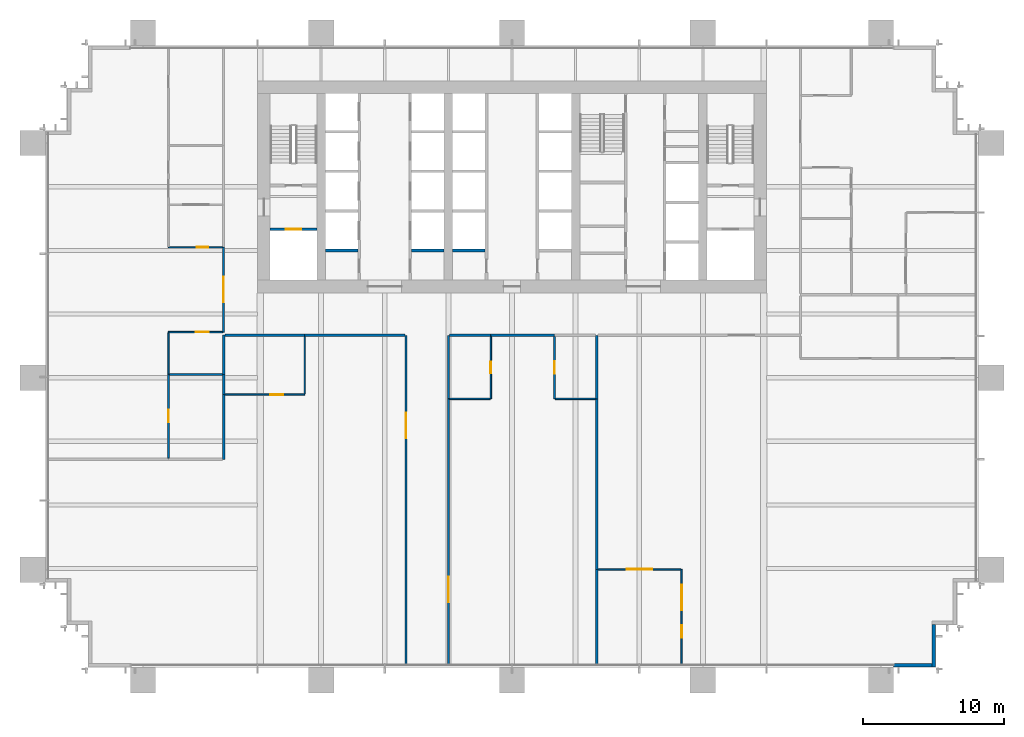
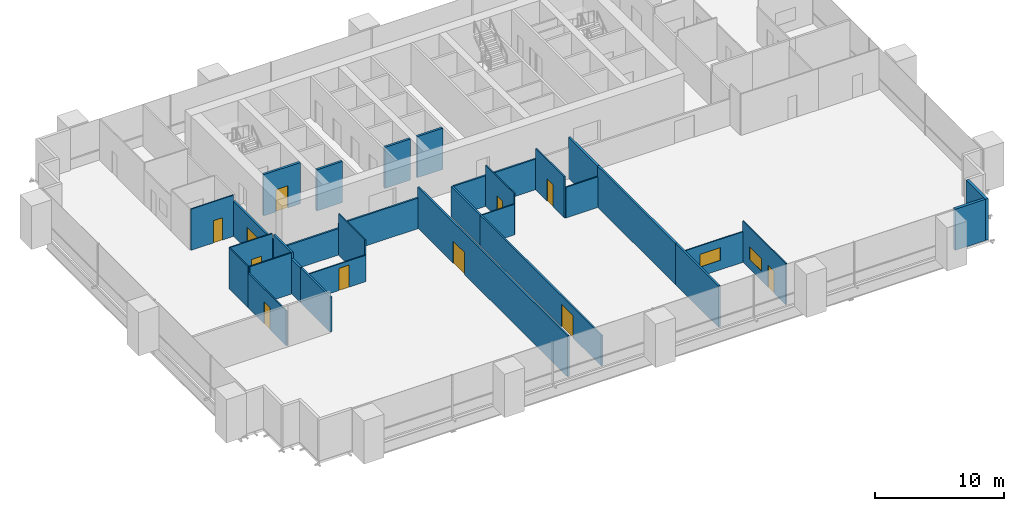
# One storey, part 11 of 17: 33 walls, 11 doors, 2 windows, 13 openings.
"""IFC4 building model written with IfcOpenShell, lengths in metres."""

from ifc_helpers import new_model, si_unit, direction, frame, frame_2d, origin, place, context, subcontext, project, spatial, rectangle, extrude, material, layer, layer_set, type_object, element, fill, save


model = new_model("IFC4")

# Units and contexts
model_context = context("Model", 3, precision=1e-05, world=origin(), true_north=direction((0.0, 1.0)))
body_context = subcontext(model_context, "Body", "Model", "MODEL_VIEW")
ifc_project = project(units=[si_unit("LENGTHUNIT", "METRE"), si_unit("AREAUNIT", "SQUARE_METRE"), si_unit("VOLUMEUNIT", "CUBIC_METRE"), si_unit("PLANEANGLEUNIT", "RADIAN"), si_unit("MASSUNIT", "GRAM", prefix="KILO")], contexts=[model_context])

# Site, building, storey
site_placement = place(None, origin())
site = spatial("IfcSite", under=ifc_project, at=site_placement, CompositionType="ELEMENT")
building_placement = place(site_placement, origin())
building = spatial("IfcBuilding", under=site, at=building_placement, Name="Rattan Terrace Tower", CompositionType="ELEMENT")
storey_placement = place(building_placement, frame((0.0, 0.0, 48.800048828125)))
storey = spatial("IfcBuildingStorey", under=building, at=storey_placement, Name="L10", CompositionType="ELEMENT", Elevation=48.800048828125)

# Wall, opening, door
ifc_material_1 = material(Name="Gypsum board partition")
ifc_layer_1 = layer(ifc_material_1, 0.199951171875)
ifc_layer_set_1 = layer_set([ifc_layer_1], Name="Core partition 200")
wall_type_1 = type_object("IfcWallType", Name="Core partition 200", PredefinedType="PARTITIONING", material=ifc_layer_set_1)
wall_1_placement = place(storey_placement, frame((-17.10009765625, -3.0, 0.0), z_axis=(0.0, 0.0, 1.0), x_axis=(1.0, 0.0, 0.0)))
wall_1 = element("IfcWall", 1, at=wall_1_placement, inside=storey, type_object=wall_type_1, Name="Fire-fighting lobby wall", PredefinedType="PARTITIONING", context=body_context, shape_type="SweptSolid", body=[
    extrude(rectangle(XDim=3.300048828125, YDim=0.199951171875, at=frame_2d((1.64990234375, 0.0))), origin(), (0.0, 0.0, 1.0), 3.89990234375),
])
opening_1_placement = place(wall_1_placement, frame((1.10009765625, 0.0, 0.0)))
opening_1 = element("IfcOpeningElement", 2, at=opening_1_placement, cuts=wall_1, Name="Opening L10-LD-FF1", PredefinedType="OPENING", context=body_context, shape_type="SweptSolid", body=[
    extrude(rectangle(XDim=1.10009765625, YDim=2.10009765625, at=frame_2d((0.550048828125, 1.050048828125))), frame((0.0, 0.110595703125, 0.0), z_axis=(0.0, -1.0, 0.0), x_axis=(1.0, 0.0, 0.0)), (0.0, 0.0, 1.0), 0.220947265625),
])
ifc_material_2 = material(Name="Brushed stainless landing door panel")
door_type_1 = type_object("IfcDoorType", Name="Core lift landing door 1100", OperationType="DOUBLE_DOOR_SLIDING", PredefinedType="DOOR", material=ifc_material_2)
door_1_placement = place(opening_1_placement, origin())
door_1 = element("IfcDoor", 3, at=door_1_placement, inside=storey, type_object=door_type_1, Name="Door L10-LD-FF1", OperationType="DOUBLE_DOOR_SLIDING", OverallHeight=2.10009765625, OverallWidth=1.10009765625, PredefinedType="DOOR", context=body_context, shape_type="SweptSolid", body=[
    extrude(rectangle(XDim=1.10009765625, YDim=2.10009765625, at=frame_2d((0.550048828125, 1.050048828125))), frame((0.0, 0.02490234375, 0.0), z_axis=(0.0, -1.0, 0.0), x_axis=(1.0, 0.0, 0.0)), (0.0, 0.0, 1.0), 0.050048828125),
])
fill(opening_1, door_1)

# Walls
ifc_material_3 = material(Name="Insulated aluminium-clad stud wall", Category="aluminium")
ifc_layer_2 = layer(ifc_material_3, 0.25)
ifc_layer_set_2 = layer_set([ifc_layer_2], Name="Facade Riser Wall 250")
wall_type_2 = type_object("IfcWallType", Name="Facade Riser Wall 250", PredefinedType="SOLIDWALL", material=ifc_layer_set_2)
wall_2_placement = place(storey_placement, frame((27.0, -33.830078125, 0.0), z_axis=(0.0, 0.0, 1.0), x_axis=(1.0, 0.0, 0.0)))
element("IfcWall", 4, at=wall_2_placement, inside=storey, type_object=wall_type_2, Name="Riser wall L10-1", PredefinedType="SOLIDWALL", context=body_context, shape_type="SweptSolid", body=[
    extrude(rectangle(XDim=2.705078125, YDim=0.25, at=frame_2d((1.3525390625, 0.0))), origin(), (0.0, 0.0, 1.0), 3.89990234375),
])
wall_3_placement = place(storey_placement, frame((29.830078125, -33.955078125, 0.0), z_axis=(0.0, 0.0, 1.0), x_axis=(0.0, 1.0, 0.0)))
element("IfcWall", 5, at=wall_3_placement, inside=storey, type_object=wall_type_2, Name="Riser wall L10-2", PredefinedType="SOLIDWALL", context=body_context, shape_type="SweptSolid", body=[
    extrude(rectangle(XDim=3.0, YDim=0.25, at=frame_2d((1.5, 0.0))), origin(), (0.0, 0.0, 1.0), 3.89990234375),
])
ifc_material_4 = material(Name="Double steel stud acoustic partition, gypsum board, mineral wool, fire rated", Category="steel")
ifc_layer_3 = layer(ifc_material_4, 0.179931640625)
ifc_layer_set_3 = layer_set([ifc_layer_3], Name="Floors Acoustic Party Wall 180")
wall_type_3 = type_object("IfcWallType", Name="Floors Acoustic Party Wall 180", PredefinedType="PARTITIONING", material=ifc_layer_set_3)
wall_4_placement = place(storey_placement, frame((-20.39990234375, -14.679931640625, 0.0), z_axis=(0.0, 0.0, 1.0), x_axis=(0.0, -1.0, 0.0)))
element("IfcWall", 6, at=wall_4_placement, inside=storey, type_object=wall_type_3, Name="pt-L10-029", PredefinedType="PARTITIONING", context=body_context, shape_type="SweptSolid", body=[
    extrude(rectangle(XDim=4.593017578125, YDim=0.179931640625, at=frame_2d((2.29638671875, 0.0))), origin(), (0.0, 0.0, 1.0), 3.300048828125),
])
wall_5_placement = place(storey_placement, frame((-20.39990234375, -13.27294921875, 0.0), z_axis=(0.0, 0.0, 1.0), x_axis=(0.0, -1.0, 0.0)))
element("IfcWall", 7, at=wall_5_placement, inside=storey, type_object=wall_type_3, Name="pt-L10-030", PredefinedType="PARTITIONING", context=body_context, shape_type="SweptSolid", body=[
    extrude(rectangle(XDim=1.406982421875, YDim=0.179931640625, at=frame_2d((0.70361328125, 0.0))), origin(), (0.0, 0.0, 1.0), 3.300048828125),
])
wall_6_placement = place(storey_placement, frame((-20.39990234375, -10.47998046875, 0.0), z_axis=(0.0, 0.0, 1.0), x_axis=(0.0, -1.0, 0.0)))
element("IfcWall", 8, at=wall_6_placement, inside=storey, type_object=wall_type_3, Name="pt-L10-031", PredefinedType="PARTITIONING", context=body_context, shape_type="SweptSolid", body=[
    extrude(rectangle(XDim=2.79296875, YDim=0.179931640625, at=frame_2d((1.396484375, 0.0))), origin(), (0.0, 0.0, 1.0), 3.89990234375),
])
wall_7_placement = place(storey_placement, frame((6.0, -15.0, 0.0), z_axis=(0.0, 0.0, 1.0), x_axis=(0.0, -1.0, 0.0)))
element("IfcWall", 9, at=wall_7_placement, inside=storey, type_object=wall_type_3, Name="pt-L10-052", PredefinedType="PARTITIONING", context=body_context, shape_type="SweptSolid", body=[
    extrude(rectangle(XDim=12.080078125, YDim=0.179931640625, at=frame_2d((6.0400390625, 0.0))), origin(), (0.0, 0.0, 1.0), 3.89990234375),
])
wall_8_placement = place(storey_placement, frame((6.0, -27.080078125, 0.0), z_axis=(0.0, 0.0, 1.0), x_axis=(0.0, -1.0, 0.0)))
element("IfcWall", 10, at=wall_8_placement, inside=storey, type_object=wall_type_3, Name="pt-L10-053", PredefinedType="PARTITIONING", context=body_context, shape_type="SweptSolid", body=[
    extrude(rectangle(XDim=6.659912109375, YDim=0.179931640625, at=frame_2d((3.330078125, 0.0))), origin(), (0.0, 0.0, 1.0), 3.89990234375),
])
wall_9_placement = place(storey_placement, frame((6.0, -10.5, 0.0), z_axis=(0.0, 0.0, 1.0), x_axis=(0.0, -1.0, 0.0)))
element("IfcWall", 11, at=wall_9_placement, inside=storey, type_object=wall_type_3, Name="pt-L10-054", PredefinedType="PARTITIONING", context=body_context, shape_type="SweptSolid", body=[
    extrude(rectangle(XDim=4.5, YDim=0.179931640625, at=frame_2d((2.25, 0.0))), origin(), (0.0, 0.0, 1.0), 3.89990234375),
])
ifc_material_5 = material(Name="Gypsum board partition on steel studs", Category="steel")
ifc_layer_4 = layer(ifc_material_5, 0.10009765625)
ifc_layer_set_4 = layer_set([ifc_layer_4], Name="Floors Partition 100")
wall_type_4 = type_object("IfcWallType", Name="Floors Partition 100", PredefinedType="PARTITIONING", material=ifc_layer_set_4)
wall_10_placement = place(storey_placement, frame((-24.300048828125, -10.322998046875, 0.0), z_axis=(0.0, 0.0, 1.0), x_axis=(0.0, -1.0, 0.0)))
element("IfcWall", 12, at=wall_10_placement, inside=storey, type_object=wall_type_4, Name="pt-L10-020", PredefinedType="PARTITIONING", context=body_context, shape_type="SweptSolid", body=[
    extrude(rectangle(XDim=2.929931640625, YDim=0.10009765625, at=frame_2d((1.46484375, 0.0))), origin(), (0.0, 0.0, 1.0), 3.89990234375),
])

# Wall, opening, door
wall_11_placement = place(storey_placement, frame((-20.47509765625, -10.27294921875, 0.0), z_axis=(0.0, 0.0, 1.0), x_axis=(-1.0, 0.0, 0.0)))
wall_11 = element("IfcWall", 13, at=wall_11_placement, inside=storey, type_object=wall_type_4, Name="pt-L10-021", PredefinedType="PARTITIONING", context=body_context, shape_type="SweptSolid", body=[
    extrude(rectangle(XDim=3.824951171875, YDim=0.10009765625, at=frame_2d((1.91259765625, 0.0))), origin(), (0.0, 0.0, 1.0), 3.89990234375),
])
opening_2_placement = place(wall_11_placement, frame((0.97705078125, 0.0, 0.0)))
opening_2 = element("IfcOpeningElement", 14, at=opening_2_placement, cuts=wall_11, Name="Opening L10-D102", PredefinedType="OPENING", context=body_context, shape_type="SweptSolid", body=[
    extrude(rectangle(XDim=0.89990234375, YDim=2.10009765625, at=frame_2d((0.449951171875, 1.050048828125))), frame((0.0, 0.060546875, 0.0), z_axis=(0.0, -1.0, 0.0), x_axis=(1.0, 0.0, 0.0)), (0.0, 0.0, 1.0), 0.12109375),
])
ifc_material_6 = material(Name="Solid core timber door, painted", Category="wood")
door_type_2 = type_object("IfcDoorType", Name="Floors Door 900x2100", OperationType="NOTDEFINED", PredefinedType="DOOR", material=ifc_material_6)
door_2_placement = place(opening_2_placement, origin())
door_2 = element("IfcDoor", 15, at=door_2_placement, inside=storey, type_object=door_type_2, Name="d-L10-102", OperationType="SINGLE_SWING_LEFT", OverallHeight=2.10009765625, OverallWidth=0.89990234375, PredefinedType="DOOR", context=body_context, shape_type="SweptSolid", body=[
    extrude(rectangle(XDim=0.89990234375, YDim=2.10009765625, at=frame_2d((0.449951171875, 1.050048828125))), frame((0.0, 0.02490234375, 0.0), z_axis=(0.0, -1.0, 0.0), x_axis=(1.0, 0.0, 0.0)), (0.0, 0.0, 1.0), 0.050048828125),
])
fill(opening_2, door_2)

wall_12_placement = place(storey_placement, frame((-24.300048828125, -4.27294921875, 0.0), z_axis=(0.0, 0.0, 1.0), x_axis=(1.0, 0.0, 0.0)))
wall_12 = element("IfcWall", 16, at=wall_12_placement, inside=storey, type_object=wall_type_4, Name="pt-L10-023", PredefinedType="PARTITIONING", context=body_context, shape_type="SweptSolid", body=[
    extrude(rectangle(XDim=3.824951171875, YDim=0.10009765625, at=frame_2d((1.91259765625, 0.0))), origin(), (0.0, 0.0, 1.0), 3.89990234375),
])
opening_3_placement = place(wall_12_placement, frame((2.01708984375, 0.0, 0.0)))
opening_3 = element("IfcOpeningElement", 17, at=opening_3_placement, cuts=wall_12, Name="Opening L10-D103", PredefinedType="OPENING", context=body_context, shape_type="SweptSolid", body=[
    extrude(rectangle(XDim=0.800048828125, YDim=2.10009765625, at=frame_2d((0.39990234375, 1.050048828125))), frame((0.0, 0.060546875, 0.0), z_axis=(0.0, -1.0, 0.0), x_axis=(1.0, 0.0, 0.0)), (0.0, 0.0, 1.0), 0.12109375),
])
ifc_material_7 = material(Name="Solid core timber door, painted", Category="wood")
door_type_3 = type_object("IfcDoorType", Name="Floors Store Door 800x2100", OperationType="NOTDEFINED", PredefinedType="DOOR", material=ifc_material_7)
door_3_placement = place(opening_3_placement, origin())
door_3 = element("IfcDoor", 18, at=door_3_placement, inside=storey, type_object=door_type_3, Name="d-L10-103", OperationType="SINGLE_SWING_RIGHT", OverallHeight=2.10009765625, OverallWidth=0.800048828125, PredefinedType="DOOR", context=body_context, shape_type="SweptSolid", body=[
    extrude(rectangle(XDim=0.800048828125, YDim=2.10009765625, at=frame_2d((0.39990234375, 1.050048828125))), frame((0.0, 0.02490234375, 0.0), z_axis=(0.0, -1.0, 0.0), x_axis=(1.0, 0.0, 0.0)), (0.0, 0.0, 1.0), 0.050048828125),
])
fill(opening_3, door_3)

wall_13_placement = place(storey_placement, frame((-20.31005859375, -14.699951171875, 0.0), z_axis=(0.0, 0.0, 1.0), x_axis=(1.0, 0.0, 0.0)))
wall_13 = element("IfcWall", 19, at=wall_13_placement, inside=storey, type_object=wall_type_4, Name="pt-L10-046", PredefinedType="PARTITIONING", context=body_context, shape_type="SweptSolid", body=[
    extrude(rectangle(XDim=5.650146484375, YDim=0.10009765625, at=frame_2d((2.8251953125, 0.0))), origin(), (0.0, 0.0, 1.0), 2.5),
])
opening_4_placement = place(wall_13_placement, frame((3.22509765625, 0.0, 0.0)))
opening_4 = element("IfcOpeningElement", 20, at=opening_4_placement, cuts=wall_13, Name="Opening L10-D112", PredefinedType="OPENING", context=body_context, shape_type="SweptSolid", body=[
    extrude(rectangle(XDim=0.89990234375, YDim=2.10009765625, at=frame_2d((0.449951171875, 1.050048828125))), frame((0.0, 0.060546875, 0.0), z_axis=(0.0, -1.0, 0.0), x_axis=(1.0, 0.0, 0.0)), (0.0, 0.0, 1.0), 0.12109375),
])
door_4_placement = place(opening_4_placement, origin())
door_4 = element("IfcDoor", 21, at=door_4_placement, inside=storey, type_object=door_type_2, Name="d-L10-112", OperationType="SINGLE_SWING_RIGHT", OverallHeight=2.10009765625, OverallWidth=0.89990234375, PredefinedType="DOOR", context=body_context, shape_type="SweptSolid", body=[
    extrude(rectangle(XDim=0.89990234375, YDim=2.10009765625, at=frame_2d((0.449951171875, 1.050048828125))), frame((0.0, 0.02490234375, 0.0), z_axis=(0.0, -1.0, 0.0), x_axis=(1.0, 0.0, 0.0)), (0.0, 0.0, 1.0), 0.050048828125),
])
fill(opening_4, door_4)

# Walls
wall_14_placement = place(storey_placement, frame((-14.659912109375, -14.64990234375, 0.0), z_axis=(0.0, 0.0, 1.0), x_axis=(0.0, 1.0, 0.0)))
element("IfcWall", 22, at=wall_14_placement, inside=storey, type_object=wall_type_4, Name="pt-L10-047", PredefinedType="PARTITIONING", context=body_context, shape_type="SweptSolid", body=[
    extrude(rectangle(XDim=4.074951171875, YDim=0.10009765625, at=frame_2d((2.03759765625, 0.0))), origin(), (0.0, 0.0, 1.0), 3.89990234375),
])
wall_15_placement = place(storey_placement, frame((-4.425048828125, -15.0, 0.0), z_axis=(0.0, 0.0, 1.0), x_axis=(1.0, 0.0, 0.0)))
element("IfcWall", 23, at=wall_15_placement, inside=storey, type_object=wall_type_4, Name="pt-L10-048", PredefinedType="PARTITIONING", context=body_context, shape_type="SweptSolid", body=[
    extrude(rectangle(XDim=2.875, YDim=0.10009765625, at=frame_2d((1.4375, 0.0))), origin(), (0.0, 0.0, 1.0), 2.89990234375),
])

# Wall, opening, door
wall_16_placement = place(storey_placement, frame((-1.5, -15.0, 0.0), z_axis=(0.0, 0.0, 1.0), x_axis=(0.0, 1.0, 0.0)))
wall_16 = element("IfcWall", 24, at=wall_16_placement, inside=storey, type_object=wall_type_4, Name="pt-L10-049", PredefinedType="PARTITIONING", context=body_context, shape_type="SweptSolid", body=[
    extrude(rectangle(XDim=4.425048828125, YDim=0.10009765625, at=frame_2d((2.21240234375, 0.0))), origin(), (0.0, 0.0, 1.0), 3.89990234375),
])
opening_5_placement = place(wall_16_placement, frame((1.81298828125, 0.0, 0.0)))
opening_5 = element("IfcOpeningElement", 25, at=opening_5_placement, cuts=wall_16, Name="Opening L10-D114", PredefinedType="OPENING", context=body_context, shape_type="SweptSolid", body=[
    extrude(rectangle(XDim=0.800048828125, YDim=2.10009765625, at=frame_2d((0.39990234375, 1.050048828125))), frame((0.0, 0.060546875, 0.0), z_axis=(0.0, -1.0, 0.0), x_axis=(1.0, 0.0, 0.0)), (0.0, 0.0, 1.0), 0.12109375),
])
door_5_placement = place(opening_5_placement, origin())
door_5 = element("IfcDoor", 26, at=door_5_placement, inside=storey, type_object=door_type_3, Name="d-L10-114", OperationType="SINGLE_SWING_LEFT", OverallHeight=2.10009765625, OverallWidth=0.800048828125, PredefinedType="DOOR", context=body_context, shape_type="SweptSolid", body=[
    extrude(rectangle(XDim=0.800048828125, YDim=2.10009765625, at=frame_2d((0.39990234375, 1.050048828125))), frame((0.0, 0.02490234375, 0.0), z_axis=(0.0, -1.0, 0.0), x_axis=(1.0, 0.0, 0.0)), (0.0, 0.0, 1.0), 0.050048828125),
])
fill(opening_5, door_5)

# Wall, opening, window
wall_17_placement = place(storey_placement, frame((11.949951171875, -27.06005859375, 0.0), z_axis=(0.0, 0.0, 1.0), x_axis=(-1.0, 0.0, 0.0)))
wall_17 = element("IfcWall", 27, at=wall_17_placement, inside=storey, type_object=wall_type_4, Name="pt-L10-055", PredefinedType="PARTITIONING", context=body_context, shape_type="SweptSolid", body=[
    extrude(rectangle(XDim=5.85986328125, YDim=0.10009765625, at=frame_2d((2.929931640625, 0.0))), origin(), (0.0, 0.0, 1.0), 2.89990234375),
])
opening_6_placement = place(wall_17_placement, frame((2.030029296875, 0.0, 0.89990234375)))
opening_6 = element("IfcOpeningElement", 28, at=opening_6_placement, cuts=wall_17, Name="Opening L10-W106", PredefinedType="OPENING", context=body_context, shape_type="SweptSolid", body=[
    extrude(rectangle(XDim=1.800048828125, YDim=1.199951171875, at=frame_2d((0.89990234375, 0.60009765625))), frame((0.0, 0.060546875, 0.0), z_axis=(0.0, -1.0, 0.0), x_axis=(1.0, 0.0, 0.0)), (0.0, 0.0, 1.0), 0.12109375),
])
ifc_material_8 = material(Name="Glass, clear, fixed in aluminium frame", Category="aluminium")
window_type = type_object("IfcWindowType", Name="Interior Vision Window 1800x1200", PartitioningType="SINGLE_PANEL", PredefinedType="WINDOW", material=ifc_material_8)
window_1_placement = place(opening_6_placement, origin())
window_1 = element("IfcWindow", 29, at=window_1_placement, inside=storey, type_object=window_type, Name="w-L10-106", OverallHeight=1.199951171875, OverallWidth=1.800048828125, PartitioningType="SINGLE_PANEL", PredefinedType="WINDOW", context=body_context, shape_type="SweptSolid", body=[
    extrude(rectangle(XDim=1.800048828125, YDim=1.199951171875, at=frame_2d((0.89990234375, 0.60009765625))), frame((0.0, 0.030029296875, 0.0), z_axis=(0.0, -1.0, 0.0), x_axis=(1.0, 0.0, 0.0)), (0.0, 0.0, 1.0), 0.06005859375),
])
fill(opening_6, window_1)

# Wall, openings, door, window
wall_18_placement = place(storey_placement, frame((12.0, -33.739990234375, 0.0), z_axis=(0.0, 0.0, 1.0), x_axis=(0.0, 1.0, 0.0)))
wall_18 = element("IfcWall", 30, at=wall_18_placement, inside=storey, type_object=wall_type_4, Name="pt-L10-056", PredefinedType="PARTITIONING", context=body_context, shape_type="SweptSolid", body=[
    extrude(rectangle(XDim=6.679931640625, YDim=0.10009765625, at=frame_2d((3.33984375, 0.0))), origin(), (0.0, 0.0, 1.0), 3.89990234375),
])
opening_7_placement = place(wall_18_placement, frame((1.833984375, 0.0, 0.0)))
opening_7 = element("IfcOpeningElement", 31, at=opening_7_placement, cuts=wall_18, Name="Opening L10-D117", PredefinedType="OPENING", context=body_context, shape_type="SweptSolid", body=[
    extrude(rectangle(XDim=0.89990234375, YDim=2.10009765625, at=frame_2d((0.449951171875, 1.050048828125))), frame((0.0, 0.060546875, 0.0), z_axis=(0.0, -1.0, 0.0), x_axis=(1.0, 0.0, 0.0)), (0.0, 0.0, 1.0), 0.12109375),
])
opening_8_placement = place(wall_18_placement, frame((3.781982421875, 0.0, 0.89990234375)))
opening_8 = element("IfcOpeningElement", 32, at=opening_8_placement, cuts=wall_18, Name="Opening L10-W107", PredefinedType="OPENING", context=body_context, shape_type="SweptSolid", body=[
    extrude(rectangle(XDim=1.800048828125, YDim=1.199951171875, at=frame_2d((0.89990234375, 0.60009765625))), frame((0.0, 0.060546875, 0.0), z_axis=(0.0, -1.0, 0.0), x_axis=(1.0, 0.0, 0.0)), (0.0, 0.0, 1.0), 0.12109375),
])
door_6_placement = place(opening_7_placement, origin())
door_6 = element("IfcDoor", 33, at=door_6_placement, inside=storey, type_object=door_type_2, Name="d-L10-117", OperationType="SINGLE_SWING_LEFT", OverallHeight=2.10009765625, OverallWidth=0.89990234375, PredefinedType="DOOR", context=body_context, shape_type="SweptSolid", body=[
    extrude(rectangle(XDim=0.89990234375, YDim=2.10009765625, at=frame_2d((0.449951171875, 1.050048828125))), frame((0.0, 0.02490234375, 0.0), z_axis=(0.0, -1.0, 0.0), x_axis=(1.0, 0.0, 0.0)), (0.0, 0.0, 1.0), 0.050048828125),
])
fill(opening_7, door_6)
window_2_placement = place(opening_8_placement, origin())
window_2 = element("IfcWindow", 34, at=window_2_placement, inside=storey, type_object=window_type, Name="w-L10-107", OverallHeight=1.199951171875, OverallWidth=1.800048828125, PartitioningType="SINGLE_PANEL", PredefinedType="WINDOW", context=body_context, shape_type="SweptSolid", body=[
    extrude(rectangle(XDim=1.800048828125, YDim=1.199951171875, at=frame_2d((0.89990234375, 0.60009765625))), frame((0.0, 0.030029296875, 0.0), z_axis=(0.0, -1.0, 0.0), x_axis=(1.0, 0.0, 0.0)), (0.0, 0.0, 1.0), 0.06005859375),
])
fill(opening_8, window_2)

# Wall, opening, door
ifc_material_9 = material(Name="Gypsum board partition on steel studs, fire rated", Category="steel")
ifc_layer_5 = layer(ifc_material_9, 0.14990234375)
ifc_layer_set_5 = layer_set([ifc_layer_5], Name="Floors Tenancy Wall 150")
wall_type_5 = type_object("IfcWallType", Name="Floors Tenancy Wall 150", PredefinedType="PARTITIONING", material=ifc_layer_set_5)
wall_19_placement = place(storey_placement, frame((-20.39990234375, -10.29296875, 0.0), z_axis=(0.0, 0.0, 1.0), x_axis=(0.0, 1.0, 0.0)))
wall_19 = element("IfcWall", 35, at=wall_19_placement, inside=storey, type_object=wall_type_5, Name="pt-L10-001", PredefinedType="PARTITIONING", context=body_context, shape_type="SweptSolid", body=[
    extrude(rectangle(XDim=6.0400390625, YDim=0.14990234375, at=frame_2d((3.02001953125, 0.0))), origin(), (0.0, 0.0, 1.0), 3.300048828125),
])
opening_9_placement = place(wall_19_placement, frame((2.1201171875, 0.0, 0.0)))
opening_9 = element("IfcOpeningElement", 36, at=opening_9_placement, cuts=wall_19, Name="Opening L10-D100", PredefinedType="OPENING", context=body_context, shape_type="SweptSolid", body=[
    extrude(rectangle(XDim=1.800048828125, YDim=2.10009765625, at=frame_2d((0.89990234375, 1.050048828125))), frame((0.0, 0.08544921875, 0.0), z_axis=(0.0, -1.0, 0.0), x_axis=(1.0, 0.0, 0.0)), (0.0, 0.0, 1.0), 0.1708984375),
])
ifc_material_10 = material(Name="Steel fire door set", Category="steel")
door_type_4 = type_object("IfcDoorType", Name="Floors Fire Door Pair FD30S 1800x2100", OperationType="NOTDEFINED", PredefinedType="DOOR", material=ifc_material_10)
door_7_placement = place(opening_9_placement, origin())
door_7 = element("IfcDoor", 37, at=door_7_placement, inside=storey, type_object=door_type_4, Name="d-L10-100", OperationType="DOUBLE_DOOR_SINGLE_SWING", OverallHeight=2.10009765625, OverallWidth=1.800048828125, PredefinedType="DOOR", context=body_context, shape_type="SweptSolid", body=[
    extrude(rectangle(XDim=1.800048828125, YDim=2.10009765625, at=frame_2d((0.89990234375, 1.050048828125))), frame((0.0, 0.02490234375, 0.0), z_axis=(0.0, -1.0, 0.0), x_axis=(1.0, 0.0, 0.0)), (0.0, 0.0, 1.0), 0.050048828125),
])
fill(opening_9, door_7)

# Wall
wall_20_placement = place(storey_placement, frame((-7.574951171875, -10.5, 0.0), z_axis=(0.0, 0.0, 1.0), x_axis=(-1.0, 0.0, 0.0)))
element("IfcWall", 38, at=wall_20_placement, inside=storey, type_object=wall_type_5, Name="pt-L10-009", PredefinedType="PARTITIONING", context=body_context, shape_type="SweptSolid", body=[
    extrude(rectangle(XDim=7.10498046875, YDim=0.14990234375, at=frame_2d((3.552490234375, 0.0))), origin(), (0.0, 0.0, 1.0), 2.89990234375),
])

# Wall, opening, door
wall_21_placement = place(storey_placement, frame((-7.5, -33.739990234375, 0.0), z_axis=(0.0, 0.0, 1.0), x_axis=(0.0, 1.0, 0.0)))
wall_21 = element("IfcWall", 39, at=wall_21_placement, inside=storey, type_object=wall_type_5, Name="pt-L10-010", PredefinedType="PARTITIONING", context=body_context, shape_type="SweptSolid", body=[
    extrude(rectangle(XDim=23.239990234375, YDim=0.14990234375, at=frame_2d((11.6201171875, 0.0))), origin(), (0.0, 0.0, 1.0), 3.89990234375),
])
opening_10_placement = place(wall_21_placement, frame((15.955078125, 0.0, 0.0)))
opening_10 = element("IfcOpeningElement", 40, at=opening_10_placement, cuts=wall_21, Name="Opening L10-D111", PredefinedType="OPENING", context=body_context, shape_type="SweptSolid", body=[
    extrude(rectangle(XDim=1.800048828125, YDim=2.10009765625, at=frame_2d((0.89990234375, 1.050048828125))), frame((0.0, 0.08544921875, 0.0), z_axis=(0.0, -1.0, 0.0), x_axis=(1.0, 0.0, 0.0)), (0.0, 0.0, 1.0), 0.1708984375),
])
door_8_placement = place(opening_10_placement, origin())
door_8 = element("IfcDoor", 41, at=door_8_placement, inside=storey, type_object=door_type_4, Name="d-L10-111", OperationType="DOUBLE_DOOR_SINGLE_SWING", OverallHeight=2.10009765625, OverallWidth=1.800048828125, PredefinedType="DOOR", context=body_context, shape_type="SweptSolid", body=[
    extrude(rectangle(XDim=1.800048828125, YDim=2.10009765625, at=frame_2d((0.89990234375, 1.050048828125))), frame((0.0, 0.02490234375, 0.0), z_axis=(0.0, -1.0, 0.0), x_axis=(1.0, 0.0, 0.0)), (0.0, 0.0, 1.0), 0.050048828125),
])
fill(opening_10, door_8)

# Wall
wall_22_placement = place(storey_placement, frame((-14.679931640625, -10.5, 0.0), z_axis=(0.0, 0.0, 1.0), x_axis=(-1.0, 0.0, 0.0)))
element("IfcWall", 42, at=wall_22_placement, inside=storey, type_object=wall_type_5, Name="pt-L10-011", PredefinedType="PARTITIONING", context=body_context, shape_type="SweptSolid", body=[
    extrude(rectangle(XDim=5.630126953125, YDim=0.14990234375, at=frame_2d((2.81494140625, 0.0))), origin(), (0.0, 0.0, 1.0), 2.5),
])

# Wall, opening, door
wall_23_placement = place(storey_placement, frame((-4.5, -14.97998046875, 0.0), z_axis=(0.0, 0.0, 1.0), x_axis=(0.0, -1.0, 0.0)))
wall_23 = element("IfcWall", 43, at=wall_23_placement, inside=storey, type_object=wall_type_5, Name="pt-L10-012", PredefinedType="PARTITIONING", context=body_context, shape_type="SweptSolid", body=[
    extrude(rectangle(XDim=18.760009765625, YDim=0.14990234375, at=frame_2d((9.3798828125, 0.0))), origin(), (0.0, 0.0, 1.0), 2.89990234375),
])
opening_11_placement = place(wall_23_placement, frame((12.594970703125, 0.0, 0.0)))
opening_11 = element("IfcOpeningElement", 44, at=opening_11_placement, cuts=wall_23, Name="Opening L10-D113", PredefinedType="OPENING", context=body_context, shape_type="SweptSolid", body=[
    extrude(rectangle(XDim=1.800048828125, YDim=2.10009765625, at=frame_2d((0.89990234375, 1.050048828125))), frame((0.0, 0.08544921875, 0.0), z_axis=(0.0, -1.0, 0.0), x_axis=(1.0, 0.0, 0.0)), (0.0, 0.0, 1.0), 0.1708984375),
])
door_9_placement = place(opening_11_placement, origin())
door_9 = element("IfcDoor", 45, at=door_9_placement, inside=storey, type_object=door_type_4, Name="d-L10-113", OperationType="DOUBLE_DOOR_SINGLE_SWING", OverallHeight=2.10009765625, OverallWidth=1.800048828125, PredefinedType="DOOR", context=body_context, shape_type="SweptSolid", body=[
    extrude(rectangle(XDim=1.800048828125, YDim=2.10009765625, at=frame_2d((0.89990234375, 1.050048828125))), frame((0.0, 0.02490234375, 0.0), z_axis=(0.0, -1.0, 0.0), x_axis=(1.0, 0.0, 0.0)), (0.0, 0.0, 1.0), 0.050048828125),
])
fill(opening_11, door_9)

# Walls
wall_24_placement = place(storey_placement, frame((3.02001953125, -10.5, 0.0), z_axis=(0.0, 0.0, 1.0), x_axis=(-1.0, 0.0, 0.0)))
element("IfcWall", 46, at=wall_24_placement, inside=storey, type_object=wall_type_5, Name="pt-L10-013", PredefinedType="PARTITIONING", context=body_context, shape_type="SweptSolid", body=[
    extrude(rectangle(XDim=4.5400390625, YDim=0.14990234375, at=frame_2d((2.27001953125, 0.0))), origin(), (0.0, 0.0, 1.0), 2.89990234375),
])
wall_25_placement = place(storey_placement, frame((-4.5, -10.5, 0.0), z_axis=(0.0, 0.0, 1.0), x_axis=(0.0, -1.0, 0.0)))
element("IfcWall", 47, at=wall_25_placement, inside=storey, type_object=wall_type_5, Name="pt-L10-014", PredefinedType="PARTITIONING", context=body_context, shape_type="SweptSolid", body=[
    extrude(rectangle(XDim=4.47998046875, YDim=0.14990234375, at=frame_2d((2.239990234375, 0.0))), origin(), (0.0, 0.0, 1.0), 2.89990234375),
])
wall_26_placement = place(storey_placement, frame((-1.52001953125, -10.5, 0.0), z_axis=(0.0, 0.0, 1.0), x_axis=(-1.0, 0.0, 0.0)))
element("IfcWall", 48, at=wall_26_placement, inside=storey, type_object=wall_type_5, Name="pt-L10-015", PredefinedType="PARTITIONING", context=body_context, shape_type="SweptSolid", body=[
    extrude(rectangle(XDim=2.905029296875, YDim=0.14990234375, at=frame_2d((1.45263671875, 0.0))), origin(), (0.0, 0.0, 1.0), 2.89990234375),
])

# Wall, opening, door
ifc_material_11 = material(Name="Moisture resistant gypsum board partition on steel studs with service cavity", Category="steel")
ifc_layer_6 = layer(ifc_material_11, 0.1201171875)
ifc_layer_set_6 = layer_set([ifc_layer_6], Name="Floors Wet Wall 120")
wall_type_6 = type_object("IfcWallType", Name="Floors Wet Wall 120", PredefinedType="PARTITIONING", material=ifc_layer_set_6)
wall_27_placement = place(storey_placement, frame((-24.300048828125, -13.2529296875, 0.0), z_axis=(0.0, 0.0, 1.0), x_axis=(0.0, -1.0, 0.0)))
wall_27 = element("IfcWall", 49, at=wall_27_placement, inside=storey, type_object=wall_type_6, Name="pt-L10-019", PredefinedType="PARTITIONING", context=body_context, shape_type="SweptSolid", body=[
    extrude(rectangle(XDim=5.93017578125, YDim=0.1201171875, at=frame_2d((2.965087890625, 0.0))), origin(), (0.0, 0.0, 1.0), 3.300048828125),
])
opening_12_placement = place(wall_27_placement, frame((2.514892578125, 0.0, 0.0)))
opening_12 = element("IfcOpeningElement", 50, at=opening_12_placement, cuts=wall_27, Name="Opening L10-D101", PredefinedType="OPENING", context=body_context, shape_type="SweptSolid", body=[
    extrude(rectangle(XDim=0.89990234375, YDim=2.10009765625, at=frame_2d((0.449951171875, 1.050048828125))), frame((0.0, 0.070556640625, 0.0), z_axis=(0.0, -1.0, 0.0), x_axis=(1.0, 0.0, 0.0)), (0.0, 0.0, 1.0), 0.14111328125),
])
door_10_placement = place(opening_12_placement, origin())
door_10 = element("IfcDoor", 51, at=door_10_placement, inside=storey, type_object=door_type_2, Name="d-L10-101", OperationType="SINGLE_SWING_RIGHT", OverallHeight=2.10009765625, OverallWidth=0.89990234375, PredefinedType="DOOR", context=body_context, shape_type="SweptSolid", body=[
    extrude(rectangle(XDim=0.89990234375, YDim=2.10009765625, at=frame_2d((0.449951171875, 1.050048828125))), frame((0.0, 0.02490234375, 0.0), z_axis=(0.0, -1.0, 0.0), x_axis=(1.0, 0.0, 0.0)), (0.0, 0.0, 1.0), 0.050048828125),
])
fill(opening_12, door_10)

# Wall
wall_28_placement = place(storey_placement, frame((-24.239990234375, -13.27294921875, 0.0), z_axis=(0.0, 0.0, 1.0), x_axis=(1.0, 0.0, 0.0)))
element("IfcWall", 52, at=wall_28_placement, inside=storey, type_object=wall_type_6, Name="pt-L10-027", PredefinedType="PARTITIONING", context=body_context, shape_type="SweptSolid", body=[
    extrude(rectangle(XDim=3.75, YDim=0.1201171875, at=frame_2d((1.875, 0.0))), origin(), (0.0, 0.0, 1.0), 3.89990234375),
])

# Wall, opening, door
wall_29_placement = place(storey_placement, frame((3.0, -10.574951171875, 0.0), z_axis=(0.0, 0.0, 1.0), x_axis=(0.0, -1.0, 0.0)))
wall_29 = element("IfcWall", 53, at=wall_29_placement, inside=storey, type_object=wall_type_6, Name="pt-L10-050", PredefinedType="PARTITIONING", context=body_context, shape_type="SweptSolid", body=[
    extrude(rectangle(XDim=4.425048828125, YDim=0.1201171875, at=frame_2d((2.21240234375, 0.0))), origin(), (0.0, 0.0, 1.0), 3.89990234375),
])
opening_13_placement = place(wall_29_placement, frame((1.762939453125, 0.0, 0.0)))
opening_13 = element("IfcOpeningElement", 54, at=opening_13_placement, cuts=wall_29, Name="Opening L10-D115", PredefinedType="OPENING", context=body_context, shape_type="SweptSolid", body=[
    extrude(rectangle(XDim=0.89990234375, YDim=2.10009765625, at=frame_2d((0.449951171875, 1.050048828125))), frame((0.0, 0.070556640625, 0.0), z_axis=(0.0, -1.0, 0.0), x_axis=(1.0, 0.0, 0.0)), (0.0, 0.0, 1.0), 0.14111328125),
])
door_11_placement = place(opening_13_placement, origin())
door_11 = element("IfcDoor", 55, at=door_11_placement, inside=storey, type_object=door_type_2, Name="d-L10-115", OperationType="SINGLE_SWING_RIGHT", OverallHeight=2.10009765625, OverallWidth=0.89990234375, PredefinedType="DOOR", context=body_context, shape_type="SweptSolid", body=[
    extrude(rectangle(XDim=0.89990234375, YDim=2.10009765625, at=frame_2d((0.449951171875, 1.050048828125))), frame((0.0, 0.02490234375, 0.0), z_axis=(0.0, -1.0, 0.0), x_axis=(1.0, 0.0, 0.0)), (0.0, 0.0, 1.0), 0.050048828125),
])
fill(opening_13, door_11)

# Walls
wall_30_placement = place(storey_placement, frame((3.06005859375, -15.0, 0.0), z_axis=(0.0, 0.0, 1.0), x_axis=(1.0, 0.0, 0.0)))
element("IfcWall", 56, at=wall_30_placement, inside=storey, type_object=wall_type_6, Name="pt-L10-051", PredefinedType="PARTITIONING", context=body_context, shape_type="SweptSolid", body=[
    extrude(rectangle(XDim=2.849853515625, YDim=0.1201171875, at=frame_2d((1.4248046875, 0.0))), origin(), (0.0, 0.0, 1.0), 2.89990234375),
])
ifc_material_12 = material(Name="Gypsum shaft wall system")
ifc_layer_7 = layer(ifc_material_12, 0.199951171875)
ifc_layer_set_7 = layer_set([ifc_layer_7], Name="Lift shaft wall 200")
wall_type_7 = type_object("IfcWallType", Name="Lift shaft wall 200", PredefinedType="PARTITIONING", material=ifc_layer_set_7)
for number, where, z_axis, x_axis, name in (
    (57, (-13.199951171875, -4.5, 0.0), (0.0, 0.0, 1.0), (1.0, 0.0, 0.0), "Lift shaft wall"),
    (58, (-7.10009765625, -4.5, 0.0), (0.0, 0.0, 1.0), (1.0, 0.0, 0.0), "Lift shaft wall"),
    (59, (-4.199951171875, -4.5, 0.0), (0.0, 0.0, 1.0), (1.0, 0.0, 0.0), "Lift shaft wall"),
):
    element("IfcWall", number, at=place(storey_placement, frame(where, z_axis=z_axis, x_axis=x_axis)), inside=storey, type_object=wall_type_7, Name=name, PredefinedType="PARTITIONING", context=body_context, shape_type="SweptSolid", body=[
        extrude(rectangle(XDim=2.300048828125, YDim=0.199951171875, at=frame_2d((1.14990234375, 0.0))), origin(), (0.0, 0.0, 1.0), 3.89990234375),
    ])

save(model, "model.ifc")
